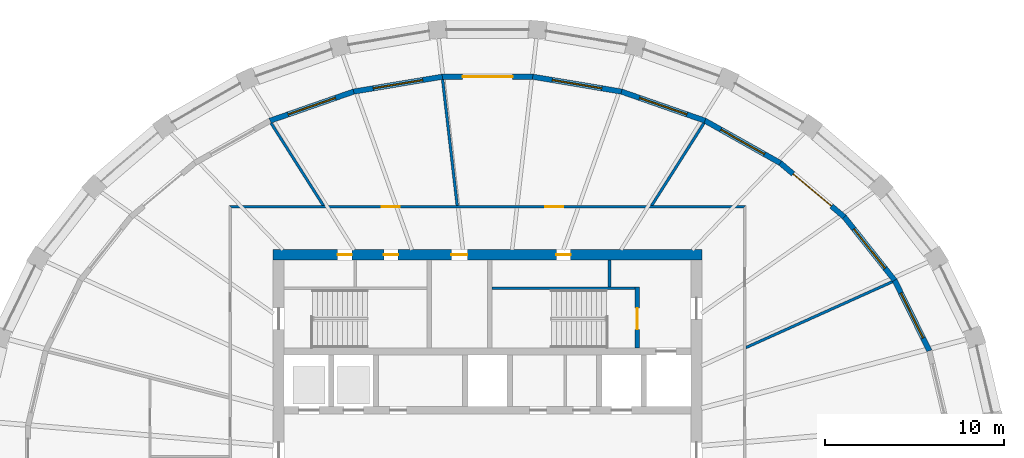
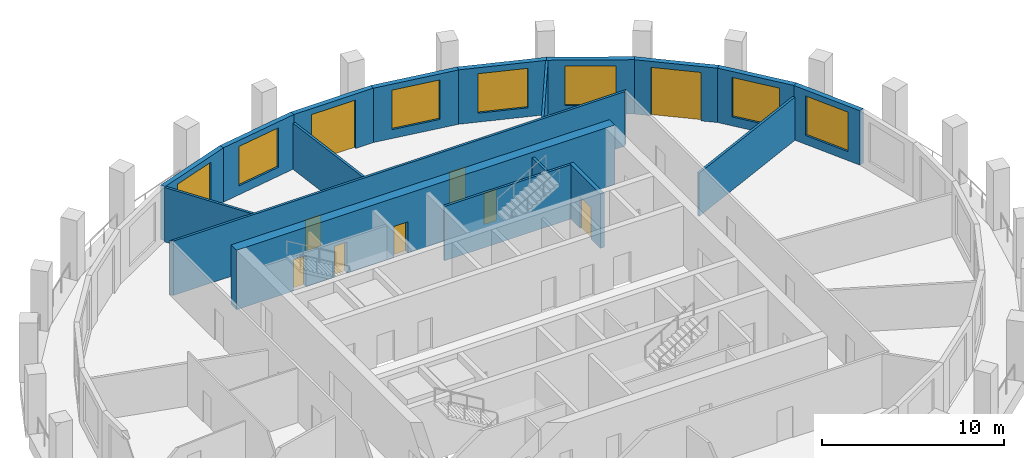
# One storey, part 6 of 10: 18 walls, 9 doors, 7 windows, 16 openings.
"""IFC4 building model written with IfcOpenShell, lengths in metres."""

from ifc_helpers import new_model, si_unit, direction, frame, frame_2d, origin, place, context, subcontext, project, spatial, polyline, rectangle, outline, extrude, material, layer, layer_set, type_object, element, fill, save


model = new_model("IFC4")

# Units and contexts
model_context = context("Model", 3, precision=1e-05, world=origin(), true_north=direction((0.0, 1.0)))
body_context = subcontext(model_context, "Body", "Model", "MODEL_VIEW")
ifc_project = project(units=[si_unit("LENGTHUNIT", "METRE"), si_unit("AREAUNIT", "SQUARE_METRE"), si_unit("VOLUMEUNIT", "CUBIC_METRE"), si_unit("PLANEANGLEUNIT", "RADIAN"), si_unit("MASSUNIT", "GRAM", prefix="KILO")], contexts=[model_context])

# Site, building, storey
site_placement = place(None, origin())
site = spatial("IfcSite", under=ifc_project, at=site_placement, CompositionType="ELEMENT")
building_placement = place(site_placement, origin())
building = spatial("IfcBuilding", under=site, at=building_placement, Name="Halqa Exchange Tower", CompositionType="ELEMENT")
storey_placement = place(building_placement, frame((0.0, 0.0, 324.300048828125)))
storey = spatial("IfcBuildingStorey", under=building, at=storey_placement, Name="L76", CompositionType="ELEMENT", Elevation=324.300048828125)

# Wall, openings, doors
ifc_material_1 = material(Name="Fire-rated gypsum board")
ifc_layer_1 = layer(ifc_material_1, 0.14990234375)
ifc_layer_set_1 = layer_set([ifc_layer_1], Name="Fire-rated gypsum board")
wall_type_1 = type_object("IfcWallType", Name="Fire partition EI 60 150", PredefinedType="PARTITIONING", material=ifc_layer_set_1)
wall_1_placement = place(storey_placement, frame((-14.47509765625, 14.39990234375, 0.0), z_axis=(0.0, 0.0, 1.0), x_axis=(1.0, 0.0, 0.0)))
wall_1 = element("IfcWall", 1, at=wall_1_placement, inside=storey, type_object=wall_type_1, Name="L76-PWL-008", PredefinedType="PARTITIONING", context=body_context, shape_type="SweptSolid", body=[
    extrude(outline(polyline([(0.150146484375, -0.074951171875), (2.06005859375, -0.074951171875), (3.97021484375, -0.074951171875), (5.880126953125, -0.074951171875), (7.7900390625, -0.074951171875), (9.7001953125, -0.074951171875), (11.610107421875, -0.074951171875), (13.52001953125, -0.074951171875), (15.43017578125, -0.074951171875), (17.340087890625, -0.074951171875), (19.25, -0.074951171875), (21.16015625, -0.074951171875), (23.070068359375, -0.074951171875), (24.97998046875, -0.074951171875), (26.89013671875, -0.074951171875), (28.800048828125, -0.074951171875), (28.949951171875, 0.074951171875), (27.02001953125, 0.074951171875), (25.090087890625, 0.074951171875), (23.159912109375, 0.074951171875), (21.22998046875, 0.074951171875), (19.300048828125, 0.074951171875), (17.3701171875, 0.074951171875), (15.440185546875, 0.074951171875), (13.510009765625, 0.074951171875), (11.580078125, 0.074951171875), (9.650146484375, 0.074951171875), (7.72021484375, 0.074951171875), (5.790283203125, 0.074951171875), (3.860107421875, 0.074951171875), (1.93017578125, 0.074951171875), (0.000244140625, 0.074951171875), (0.150146484375, -0.074951171875)])), origin(), (0.0, 0.0, 1.0), 3.64990234375),
])
opening_1_placement = place(wall_1_placement, frame((17.705078125, 0.0, 0.0)))
opening_1 = element("IfcOpeningElement", 2, at=opening_1_placement, cuts=wall_1, Name="Opening 23-02", PredefinedType="OPENING", context=body_context, shape_type="SweptSolid", body=[
    extrude(rectangle(XDim=1.0, YDim=2.10009765625, at=frame_2d((0.5, 1.050048828125))), frame((0.0, 0.0869140625, 0.0), z_axis=(0.0, -1.0, 0.0), x_axis=(1.0, 0.0, 0.0)), (0.0, 0.0, 1.0), 0.173828125),
])
opening_2_placement = place(wall_1_placement, frame((8.554931640625, 0.0, 0.0)))
opening_2 = element("IfcOpeningElement", 3, at=opening_2_placement, cuts=wall_1, Name="Opening 23-03", PredefinedType="OPENING", context=body_context, shape_type="SweptSolid", body=[
    extrude(rectangle(XDim=1.0, YDim=2.10009765625, at=frame_2d((0.5, 1.050048828125))), frame((0.0, 0.0869140625, 0.0), z_axis=(0.0, -1.0, 0.0), x_axis=(1.0, 0.0, 0.0)), (0.0, 0.0, 1.0), 0.173828125),
])
ifc_material_2 = material(Name="Steel fire door leaf", Category="steel")
door_type_1 = type_object("IfcDoorType", Name="Fire door FD30S 1000 x 2100", OperationType="SINGLE_SWING_LEFT", PredefinedType="DOOR", material=ifc_material_2)
door_1_placement = place(opening_1_placement, origin())
door_1 = element("IfcDoor", 4, at=door_1_placement, inside=storey, type_object=door_type_1, Name="L76-IDR-002", OperationType="SINGLE_SWING_RIGHT", OverallHeight=2.10009765625, OverallWidth=1.0, PredefinedType="DOOR", context=body_context, shape_type="SweptSolid", body=[
    extrude(rectangle(XDim=1.0, YDim=2.10009765625, at=frame_2d((0.5, 1.050048828125))), frame((0.0, 0.02490234375, 0.0), z_axis=(0.0, -1.0, 0.0), x_axis=(1.0, 0.0, 0.0)), (0.0, 0.0, 1.0), 0.050048828125),
])
fill(opening_1, door_1)
door_2_placement = place(opening_2_placement, origin())
door_2 = element("IfcDoor", 5, at=door_2_placement, inside=storey, type_object=door_type_1, Name="L76-IDR-003", OperationType="SINGLE_SWING_RIGHT", OverallHeight=2.10009765625, OverallWidth=1.0, PredefinedType="DOOR", context=body_context, shape_type="SweptSolid", body=[
    extrude(rectangle(XDim=1.0, YDim=2.10009765625, at=frame_2d((0.5, 1.050048828125))), frame((0.0, 0.02490234375, 0.0), z_axis=(0.0, -1.0, 0.0), x_axis=(1.0, 0.0, 0.0)), (0.0, 0.0, 1.0), 0.050048828125),
])
fill(opening_2, door_2)

# Walls
wall_2_placement = place(storey_placement, frame((-9.172119140625, 14.43505859375, 0.0), z_axis=(0.0, 0.0, 1.0), x_axis=(-0.536016173419, 0.844207712493, 0.0)))
element("IfcWall", 6, at=wall_2_placement, inside=storey, type_object=wall_type_1, Name="L76-PWL-010", PredefinedType="PARTITIONING", context=body_context, shape_type="SweptSolid", body=[
    extrude(outline(polyline([(0.0, -0.074951171875), (1.82568359375, -0.074951171875), (3.6513671875, -0.074951171875), (5.477294921875, -0.074951171875), (5.494140625, -0.002685546875), (5.498291015625, 0.074951171875), (3.697265625, 0.074951171875), (1.89599609375, 0.074951171875), (0.094970703125, 0.074951171875), (0.0, -0.074462890625), (0.0, -0.074951171875)])), origin(), (0.0, 0.0, 1.0), 3.64990234375),
])
wall_3_placement = place(storey_placement, frame((-1.69775390625, 14.466552734375, 0.0), z_axis=(0.0, 0.0, 1.0), x_axis=(-0.115131681879, 0.993350238248, 0.0)))
element("IfcWall", 7, at=wall_3_placement, inside=storey, type_object=wall_type_1, Name="L76-PWL-011", PredefinedType="PARTITIONING", context=body_context, shape_type="SweptSolid", body=[
    extrude(outline(polyline([(0.0, -0.074951171875), (1.774169921875, -0.074951171875), (3.54833984375, -0.074951171875), (5.322265625, -0.074951171875), (7.096435546875, -0.074951171875), (7.1015625, -0.03125), (7.1015625, 0.074951171875), (5.33056640625, 0.074951171875), (3.559326171875, 0.074951171875), (1.788330078125, 0.074951171875), (0.01708984375, 0.074951171875), (0.0, -0.073486328125), (0.0, -0.074951171875)])), origin(), (0.0, 0.0, 1.0), 3.099853515625),
])
wall_4_placement = place(storey_placement, frame((9.172119140625, 14.43505859375, 0.0), z_axis=(0.0, 0.0, 1.0), x_axis=(0.536016173419, 0.844207712493, 0.0)))
element("IfcWall", 8, at=wall_4_placement, inside=storey, type_object=wall_type_1, Name="L76-PWL-013", PredefinedType="PARTITIONING", context=body_context, shape_type="SweptSolid", body=[
    extrude(outline(polyline([(0.094970703125, -0.074951171875), (1.89599609375, -0.074951171875), (3.697265625, -0.074951171875), (5.498291015625, -0.074951171875), (5.494140625, 0.002685546875), (5.477294921875, 0.074951171875), (3.6513671875, 0.074951171875), (1.82568359375, 0.074951171875), (0.0, 0.074951171875), (0.0, 0.074462890625), (0.094970703125, -0.074951171875)])), origin(), (0.0, 0.0, 1.0), 3.64990234375),
])
wall_5_placement = place(storey_placement, frame((22.667236328125, 10.197265625, 0.0), z_axis=(0.0, 0.0, 1.0), x_axis=(-0.912043070278, -0.410094425662, 0.0)))
element("IfcWall", 9, at=wall_5_placement, inside=storey, type_object=wall_type_1, Name="L76-PWL-018", PredefinedType="PARTITIONING", context=body_context, shape_type="SweptSolid", body=[
    extrude(outline(polyline([(0.021484375, -0.074951171875), (1.806884765625, -0.074951171875), (3.59228515625, -0.074951171875), (5.377685546875, -0.074951171875), (7.1630859375, -0.074951171875), (8.948486328125, -0.074951171875), (9.015625, 0.07421875), (9.015625, 0.074951171875), (7.21240234375, 0.074951171875), (5.409423828125, 0.074951171875), (3.606201171875, 0.074951171875), (1.80322265625, 0.074951171875), (0.0, 0.074951171875), (0.0, 0.066162109375), (0.002197265625, 0.000732421875), (0.021484375, -0.074951171875)])), origin(), (0.0, 0.0, 1.0), 2.89697265625),
])
ifc_material_3 = material(Name="Gypsum board")
ifc_layer_2 = layer(ifc_material_3, 0.14990234375)
ifc_layer_set_2 = layer_set([ifc_layer_2], Name="Gypsum board")
wall_type_2 = type_object("IfcWallType", Name="Penthouse riser wall 150 gypsum", PredefinedType="PARTITIONING", material=ifc_layer_set_2)
wall_6_placement = place(storey_placement, frame((6.824951171875, 9.89990234375, 0.0), z_axis=(0.0, 0.0, 1.0), x_axis=(0.0, 1.0, 0.0)))
element("IfcWall", 10, at=wall_6_placement, inside=storey, type_object=wall_type_2, Name="Firefighting lobby west wall N", PredefinedType="PARTITIONING", context=body_context, shape_type="SweptSolid", body=[
    extrude(rectangle(XDim=1.5, YDim=0.14990234375, at=frame_2d((0.75, 0.0))), origin(), (0.0, 0.0, 1.0), 3.64990234375),
])

# Wall, openings, doors
ifc_material_4 = material(Name="Concrete C60/75", Category="concrete")
ifc_layer_3 = layer(ifc_material_4, 0.60009765625)
ifc_layer_set_3 = layer_set([ifc_layer_3], Name="Concrete C60/75")
wall_type_3 = type_object("IfcWallType", Name="RC core wall 600 C60/75", PredefinedType="SHEAR", material=ifc_layer_set_3)
wall_7_placement = place(storey_placement, frame((-12.0, 11.699951171875, 0.0), z_axis=(0.0, 0.0, 1.0), x_axis=(1.0, 0.0, 0.0)))
wall_7 = element("IfcWall", 11, at=wall_7_placement, inside=storey, type_object=wall_type_3, Name="Core wall north", PredefinedType="SHEAR", context=body_context, shape_type="SweptSolid", body=[
    extrude(rectangle(XDim=24.0, YDim=0.60009765625, at=frame_2d((12.0, 0.0))), origin(), (0.0, 0.0, 1.0), 4.0),
])
opening_3_placement = place(wall_7_placement, frame((9.97509765625, 0.0, 0.0)))
opening_3 = element("IfcOpeningElement", 12, at=opening_3_placement, cuts=wall_7, Name="Opening T23-C17", PredefinedType="OPENING", context=body_context, shape_type="SweptSolid", body=[
    extrude(rectangle(XDim=0.89990234375, YDim=2.10009765625, at=frame_2d((0.449951171875, 1.050048828125))), frame((0.0, 0.31201171875, 0.0), z_axis=(0.0, -1.0, 0.0), x_axis=(1.0, 0.0, 0.0)), (0.0, 0.0, 1.0), 0.6240234375),
])
opening_4_placement = place(wall_7_placement, frame((3.60009765625, 0.0, 0.0)))
opening_4 = element("IfcOpeningElement", 13, at=opening_4_placement, cuts=wall_7, Name="Opening T23-C18", PredefinedType="OPENING", context=body_context, shape_type="SweptSolid", body=[
    extrude(rectangle(XDim=0.800048828125, YDim=2.10009765625, at=frame_2d((0.39990234375, 1.050048828125))), frame((0.0, 0.31201171875, 0.0), z_axis=(0.0, -1.0, 0.0), x_axis=(1.0, 0.0, 0.0)), (0.0, 0.0, 1.0), 0.6240234375),
])
opening_5_placement = place(wall_7_placement, frame((6.199951171875, 0.0, 0.0)))
opening_5 = element("IfcOpeningElement", 14, at=opening_5_placement, cuts=wall_7, Name="Opening T23-C19", PredefinedType="OPENING", context=body_context, shape_type="SweptSolid", body=[
    extrude(rectangle(XDim=0.800048828125, YDim=2.10009765625, at=frame_2d((0.39990234375, 1.050048828125))), frame((0.0, 0.31201171875, 0.0), z_axis=(0.0, -1.0, 0.0), x_axis=(1.0, 0.0, 0.0)), (0.0, 0.0, 1.0), 0.6240234375),
])
opening_6_placement = place(wall_7_placement, frame((15.85009765625, 0.0, 0.0)))
opening_6 = element("IfcOpeningElement", 15, at=opening_6_placement, cuts=wall_7, Name="Opening T23-C20", PredefinedType="OPENING", context=body_context, shape_type="SweptSolid", body=[
    extrude(rectangle(XDim=0.800048828125, YDim=2.10009765625, at=frame_2d((0.39990234375, 1.050048828125))), frame((0.0, 0.31201171875, 0.0), z_axis=(0.0, -1.0, 0.0), x_axis=(1.0, 0.0, 0.0)), (0.0, 0.0, 1.0), 0.6240234375),
])
ifc_material_5 = material(Name="Timber fire door leaf", Category="wood")
door_type_2 = type_object("IfcDoorType", Name="Core room door FD30 900 x 2100", OperationType="SINGLE_SWING_LEFT", PredefinedType="DOOR", material=ifc_material_5)
door_3_placement = place(opening_3_placement, frame((0.89990234375, 0.0, 0.0), z_axis=(0.0, 0.0, 1.0), x_axis=(-1.0, 0.0, 0.0)))
door_3 = element("IfcDoor", 16, at=door_3_placement, inside=storey, type_object=door_type_2, Name="Core room door", OperationType="SINGLE_SWING_RIGHT", OverallHeight=2.10009765625, OverallWidth=0.89990234375, PredefinedType="DOOR", context=body_context, shape_type="SweptSolid", body=[
    extrude(rectangle(XDim=0.89990234375, YDim=2.10009765625, at=frame_2d((0.449951171875, 1.050048828125))), frame((0.0, 0.02490234375, 0.0), z_axis=(0.0, -1.0, 0.0), x_axis=(1.0, 0.0, 0.0)), (0.0, 0.0, 1.0), 0.050048828125),
])
fill(opening_3, door_3)
door_type_3 = type_object("IfcDoorType", Name="Riser door FD60 800 x 2100", OperationType="SINGLE_SWING_LEFT", PredefinedType="DOOR", material=ifc_material_2)
door_4_placement = place(opening_4_placement, frame((0.800048828125, 0.0, 0.0), z_axis=(0.0, 0.0, 1.0), x_axis=(-1.0, 0.0, 0.0)))
door_4 = element("IfcDoor", 17, at=door_4_placement, inside=storey, type_object=door_type_3, Name="Core room door", OperationType="SINGLE_SWING_RIGHT", OverallHeight=2.10009765625, OverallWidth=0.800048828125, PredefinedType="DOOR", context=body_context, shape_type="SweptSolid", body=[
    extrude(rectangle(XDim=0.800048828125, YDim=2.10009765625, at=frame_2d((0.39990234375, 1.050048828125))), frame((0.0, 0.02490234375, 0.0), z_axis=(0.0, -1.0, 0.0), x_axis=(1.0, 0.0, 0.0)), (0.0, 0.0, 1.0), 0.050048828125),
])
fill(opening_4, door_4)
door_5_placement = place(opening_5_placement, frame((0.800048828125, 0.0, 0.0), z_axis=(0.0, 0.0, 1.0), x_axis=(-1.0, 0.0, 0.0)))
door_5 = element("IfcDoor", 18, at=door_5_placement, inside=storey, type_object=door_type_3, Name="Core room door", OperationType="SINGLE_SWING_LEFT", OverallHeight=2.10009765625, OverallWidth=0.800048828125, PredefinedType="DOOR", context=body_context, shape_type="SweptSolid", body=[
    extrude(rectangle(XDim=0.800048828125, YDim=2.10009765625, at=frame_2d((0.39990234375, 1.050048828125))), frame((0.0, 0.02490234375, 0.0), z_axis=(0.0, -1.0, 0.0), x_axis=(1.0, 0.0, 0.0)), (0.0, 0.0, 1.0), 0.050048828125),
])
fill(opening_5, door_5)
door_6_placement = place(opening_6_placement, frame((0.800048828125, 0.0, 0.0), z_axis=(0.0, 0.0, 1.0), x_axis=(-1.0, 0.0, 0.0)))
door_6 = element("IfcDoor", 19, at=door_6_placement, inside=storey, type_object=door_type_3, Name="Core room door", OperationType="SINGLE_SWING_RIGHT", OverallHeight=2.10009765625, OverallWidth=0.800048828125, PredefinedType="DOOR", context=body_context, shape_type="SweptSolid", body=[
    extrude(rectangle(XDim=0.800048828125, YDim=2.10009765625, at=frame_2d((0.39990234375, 1.050048828125))), frame((0.0, 0.02490234375, 0.0), z_axis=(0.0, -1.0, 0.0), x_axis=(1.0, 0.0, 0.0)), (0.0, 0.0, 1.0), 0.050048828125),
])
fill(opening_6, door_6)

# Wall
ifc_material_6 = material(Name="Concrete C30/37", Category="concrete")
ifc_layer_4 = layer(ifc_material_6, 0.14990234375)
ifc_layer_set_4 = layer_set([ifc_layer_4], Name="Concrete C30/37")
wall_type_4 = type_object("IfcWallType", Name="RC stair wall 150 C30/37", PredefinedType="SHEAR", material=ifc_layer_set_4)
wall_8_placement = place(storey_placement, frame((0.25, 9.824951171875, 0.0), z_axis=(0.0, 0.0, 1.0), x_axis=(1.0, 0.0, 0.0)))
element("IfcWall", 20, at=wall_8_placement, inside=storey, type_object=wall_type_4, Name="Stair ST2 north wall N", PredefinedType="SHEAR", context=body_context, shape_type="SweptSolid", body=[
    extrude(rectangle(XDim=8.0, YDim=0.14990234375, at=frame_2d((4.0, 0.0))), origin(), (0.0, 0.0, 1.0), 3.64990234375),
])

# Wall, opening, door
ifc_layer_5 = layer(ifc_material_6, 0.25)
ifc_layer_set_5 = layer_set([ifc_layer_5], Name="Concrete C30/37")
wall_type_5 = type_object("IfcWallType", Name="RC stair wall 250 C30/37", PredefinedType="SHEAR", material=ifc_layer_set_5)
wall_9_placement = place(storey_placement, frame((8.375, 6.5, 0.0), z_axis=(0.0, 0.0, 1.0), x_axis=(0.0, 1.0, 0.0)))
wall_9 = element("IfcWall", 21, at=wall_9_placement, inside=storey, type_object=wall_type_5, Name="Stair ST2 east wall N", PredefinedType="SHEAR", context=body_context, shape_type="SweptSolid", body=[
    extrude(rectangle(XDim=3.39990234375, YDim=0.25, at=frame_2d((1.699951171875, 0.0))), origin(), (0.0, 0.0, 1.0), 3.64990234375),
])
opening_7_placement = place(wall_9_placement, frame((1.02490234375, 0.0, 0.0)))
opening_7 = element("IfcOpeningElement", 22, at=opening_7_placement, cuts=wall_9, Name="Opening T23-C12", PredefinedType="OPENING", context=body_context, shape_type="SweptSolid", body=[
    extrude(rectangle(XDim=1.199951171875, YDim=2.10009765625, at=frame_2d((0.60009765625, 1.050048828125))), frame((0.0, 0.136962890625, 0.0), z_axis=(0.0, -1.0, 0.0), x_axis=(1.0, 0.0, 0.0)), (0.0, 0.0, 1.0), 0.27392578125),
])
door_type_4 = type_object("IfcDoorType", Name="Stair door FD90 1200 x 2100", OperationType="SINGLE_SWING_LEFT", PredefinedType="DOOR", material=ifc_material_2)
door_7_placement = place(opening_7_placement, origin())
door_7 = element("IfcDoor", 23, at=door_7_placement, inside=storey, type_object=door_type_4, Name="Stair door ST2", OperationType="SINGLE_SWING_RIGHT", OverallHeight=2.10009765625, OverallWidth=1.199951171875, PredefinedType="DOOR", context=body_context, shape_type="SweptSolid", body=[
    extrude(rectangle(XDim=1.199951171875, YDim=2.10009765625, at=frame_2d((0.60009765625, 1.050048828125))), frame((0.0, 0.02490234375, 0.0), z_axis=(0.0, -1.0, 0.0), x_axis=(1.0, 0.0, 0.0)), (0.0, 0.0, 1.0), 0.050048828125),
])
fill(opening_7, door_7)

# Wall, opening, window
ifc_material_7 = material(Name="Limestone cladding", Category="masonry")
ifc_layer_6 = layer(ifc_material_7, 0.0400390625)
ifc_material_8 = material(Name="Ventilated cavity")
ifc_layer_7 = layer(ifc_material_8, 0.030029296875, ventilated=True)
ifc_material_9 = material(Name="Mineral wool insulation")
ifc_layer_8 = layer(ifc_material_9, 0.10009765625)
ifc_layer_9 = layer(ifc_material_6, 0.10009765625)
ifc_material_10 = material(Name="Internal plaster")
ifc_layer_10 = layer(ifc_material_10, 0.030029296875)
ifc_layer_set_6 = layer_set([ifc_layer_6, ifc_layer_7, ifc_layer_8, ifc_layer_9, ifc_layer_10], Name="Stone-faced insulated wall 300")
wall_type_6 = type_object("IfcWallType", Name="Stone-faced insulated wall 300", PredefinedType="STANDARD", material=ifc_layer_set_6)
wall_10_placement = place(storey_placement, frame((24.735595703125, 6.32958984375, 0.0), z_axis=(0.0, 0.0, 1.0), x_axis=(-0.441610485853, 0.897206876247, 0.0)))
wall_10 = element("IfcWall", 24, at=wall_10_placement, inside=storey, type_object=wall_type_6, Name="Glass-line wall 2", PredefinedType="STANDARD", context=body_context, shape_type="SweptSolid", body=[
    extrude(outline(polyline([(-0.01708984375, -0.14990234375), (4.4150390625, -0.14990234375), (4.3828125, 0.14990234375), (0.01708984375, 0.14990234375), (-0.01708984375, -0.14990234375)])), origin(), (0.0, 0.0, 1.0), 3.64990234375),
])
opening_8_placement = place(wall_10_placement, frame((0.799560546875, 0.0, 0.60009765625)))
opening_8 = element("IfcOpeningElement", 25, at=opening_8_placement, cuts=wall_10, Name="Opening W-F4-02", PredefinedType="OPENING", context=body_context, shape_type="SweptSolid", body=[
    extrude(rectangle(XDim=2.800048828125, YDim=2.64990234375, at=frame_2d((1.39990234375, 1.324951171875))), frame((0.0, 0.162109375, 0.0), z_axis=(0.0, -1.0, 0.0), x_axis=(1.0, 0.0, 0.0)), (0.0, 0.0, 1.0), 0.323974609375),
])
ifc_material_11 = material(Name="Clear low-emissivity glass in aluminium frame", Category="aluminium")
window_type = type_object("IfcWindowType", Name="Fixed clear glazed window 2800 x 2650", PartitioningType="DOUBLE_PANEL_VERTICAL", PredefinedType="WINDOW", material=ifc_material_11)
window_1_placement = place(opening_8_placement, origin())
window_1 = element("IfcWindow", 26, at=window_1_placement, inside=storey, type_object=window_type, Name="Window 4", OverallHeight=2.64990234375, OverallWidth=2.800048828125, PartitioningType="DOUBLE_PANEL_VERTICAL", PredefinedType="WINDOW", context=body_context, shape_type="SweptSolid", body=[
    extrude(rectangle(XDim=2.800048828125, YDim=2.64990234375, at=frame_2d((1.39990234375, 1.324951171875))), frame((0.0, 0.030029296875, 0.0), z_axis=(0.0, -1.0, 0.0), x_axis=(1.0, 0.0, 0.0)), (0.0, 0.0, 1.0), 0.06005859375),
])
fill(opening_8, window_1)

wall_11_placement = place(storey_placement, frame((22.79296875, 10.2763671875, 0.0), z_axis=(0.0, 0.0, 1.0), x_axis=(-0.621800530555, 0.783175650925, 0.0)))
wall_11 = element("IfcWall", 27, at=wall_11_placement, inside=storey, type_object=wall_type_6, Name="Glass-line wall 3", PredefinedType="STANDARD", context=body_context, shape_type="SweptSolid", body=[
    extrude(outline(polyline([(-0.01611328125, -0.14990234375), (4.547607421875, -0.14990234375), (4.517333984375, 0.14990234375), (0.01611328125, 0.14990234375), (-0.01611328125, -0.14990234375)])), origin(), (0.0, 0.0, 1.0), 3.64990234375),
])
opening_9_placement = place(wall_11_placement, frame((0.8662109375, 0.0, 0.60009765625)))
opening_9 = element("IfcOpeningElement", 28, at=opening_9_placement, cuts=wall_11, Name="Opening W-F4-03", PredefinedType="OPENING", context=body_context, shape_type="SweptSolid", body=[
    extrude(rectangle(XDim=2.800048828125, YDim=2.64990234375, at=frame_2d((1.39990234375, 1.324951171875))), frame((0.0, 0.162109375, 0.0), z_axis=(0.0, -1.0, 0.0), x_axis=(1.0, 0.0, 0.0)), (0.0, 0.0, 1.0), 0.323974609375),
])
window_2_placement = place(opening_9_placement, origin())
window_2 = element("IfcWindow", 29, at=window_2_placement, inside=storey, type_object=window_type, Name="Window 4", OverallHeight=2.64990234375, OverallWidth=2.800048828125, PartitioningType="DOUBLE_PANEL_VERTICAL", PredefinedType="WINDOW", context=body_context, shape_type="SweptSolid", body=[
    extrude(rectangle(XDim=2.800048828125, YDim=2.64990234375, at=frame_2d((1.39990234375, 1.324951171875))), frame((0.0, 0.030029296875, 0.0), z_axis=(0.0, -1.0, 0.0), x_axis=(1.0, 0.0, 0.0)), (0.0, 0.0, 1.0), 0.06005859375),
])
fill(opening_9, window_2)

# Wall, opening, door
wall_12_placement = place(storey_placement, frame((19.974609375, 13.826171875, 0.0), z_axis=(0.0, 0.0, 1.0), x_axis=(-0.765128700347, 0.643877373344, 0.0)))
wall_12 = element("IfcWall", 30, at=wall_12_placement, inside=storey, type_object=wall_type_6, Name="Glass-line wall 4", PredefinedType="STANDARD", context=body_context, shape_type="SweptSolid", body=[
    extrude(outline(polyline([(-0.01513671875, -0.14990234375), (4.69970703125, -0.14990234375), (4.67138671875, 0.14990234375), (0.01513671875, 0.14990234375), (-0.01513671875, -0.14990234375)])), origin(), (0.0, 0.0, 1.0), 3.64990234375),
])
opening_10_placement = place(wall_12_placement, frame((0.942626953125, 0.0, 0.0)))
opening_10 = element("IfcOpeningElement", 31, at=opening_10_placement, cuts=wall_12, Name="Opening LG-F4-01", PredefinedType="OPENING", context=body_context, shape_type="SweptSolid", body=[
    extrude(rectangle(XDim=2.800048828125, YDim=3.25, at=frame_2d((1.39990234375, 1.625))), frame((0.0, 0.162109375, 0.0), z_axis=(0.0, -1.0, 0.0), x_axis=(1.0, 0.0, 0.0)), (0.0, 0.0, 1.0), 0.323974609375),
])
door_type_5 = type_object("IfcDoorType", Name="Glazed sliding loggia door 2800 x 3250", OperationType="DOUBLE_DOOR_SLIDING", PredefinedType="DOOR", material=ifc_material_11)
door_8_placement = place(opening_10_placement, origin())
door_8 = element("IfcDoor", 32, at=door_8_placement, inside=storey, type_object=door_type_5, Name="Loggia door 1", OperationType="DOUBLE_DOOR_SLIDING", OverallHeight=3.25, OverallWidth=2.800048828125, PredefinedType="DOOR", context=body_context, shape_type="SweptSolid", body=[
    extrude(rectangle(XDim=2.800048828125, YDim=3.25, at=frame_2d((1.39990234375, 1.625))), frame((0.0, 0.02490234375, 0.0), z_axis=(0.0, -1.0, 0.0), x_axis=(1.0, 0.0, 0.0)), (0.0, 0.0, 1.0), 0.050048828125),
])
fill(opening_10, door_8)

# Wall, opening, window
wall_13_placement = place(storey_placement, frame((16.3896484375, 16.843017578125, 0.0), z_axis=(0.0, 0.0, 1.0), x_axis=(-0.871651071333, 0.49012693238, 0.0)))
wall_13 = element("IfcWall", 33, at=wall_13_placement, inside=storey, type_object=wall_type_6, Name="Glass-line wall 5", PredefinedType="STANDARD", context=body_context, shape_type="SweptSolid", body=[
    extrude(outline(polyline([(-0.01416015625, -0.14990234375), (4.846435546875, -0.14990234375), (4.820068359375, 0.14990234375), (0.01416015625, 0.14990234375), (-0.01416015625, -0.14990234375)])), origin(), (0.0, 0.0, 1.0), 3.64990234375),
])
opening_11_placement = place(wall_13_placement, frame((1.0166015625, 0.0, 0.60009765625)))
opening_11 = element("IfcOpeningElement", 34, at=opening_11_placement, cuts=wall_13, Name="Opening W-F4-05", PredefinedType="OPENING", context=body_context, shape_type="SweptSolid", body=[
    extrude(rectangle(XDim=2.800048828125, YDim=2.64990234375, at=frame_2d((1.39990234375, 1.324951171875))), frame((0.0, 0.162109375, 0.0), z_axis=(0.0, -1.0, 0.0), x_axis=(1.0, 0.0, 0.0)), (0.0, 0.0, 1.0), 0.323974609375),
])
window_3_placement = place(opening_11_placement, origin())
window_3 = element("IfcWindow", 35, at=window_3_placement, inside=storey, type_object=window_type, Name="Window 4", OverallHeight=2.64990234375, OverallWidth=2.800048828125, PartitioningType="DOUBLE_PANEL_VERTICAL", PredefinedType="WINDOW", context=body_context, shape_type="SweptSolid", body=[
    extrude(rectangle(XDim=2.800048828125, YDim=2.64990234375, at=frame_2d((1.39990234375, 1.324951171875))), frame((0.0, 0.030029296875, 0.0), z_axis=(0.0, -1.0, 0.0), x_axis=(1.0, 0.0, 0.0)), (0.0, 0.0, 1.0), 0.06005859375),
])
fill(opening_11, window_3)

wall_14_placement = place(storey_placement, frame((12.1767578125, 19.2119140625, 0.0), z_axis=(0.0, 0.0, 1.0), x_axis=(-0.944273917508, 0.329160703479, 0.0)))
wall_14 = element("IfcWall", 36, at=wall_14_placement, inside=storey, type_object=wall_type_6, Name="Glass-line wall 6", PredefinedType="STANDARD", context=body_context, shape_type="SweptSolid", body=[
    extrude(outline(polyline([(-0.01318359375, -0.14990234375), (4.968017578125, -0.14990234375), (4.942626953125, 0.14990234375), (0.01318359375, 0.14990234375), (-0.01318359375, -0.14990234375)])), origin(), (0.0, 0.0, 1.0), 3.64990234375),
])
opening_12_placement = place(wall_14_placement, frame((1.07763671875, 0.0, 0.60009765625)))
opening_12 = element("IfcOpeningElement", 37, at=opening_12_placement, cuts=wall_14, Name="Opening W-F4-06", PredefinedType="OPENING", context=body_context, shape_type="SweptSolid", body=[
    extrude(rectangle(XDim=2.800048828125, YDim=2.64990234375, at=frame_2d((1.39990234375, 1.324951171875))), frame((0.0, 0.162109375, 0.0), z_axis=(0.0, -1.0, 0.0), x_axis=(1.0, 0.0, 0.0)), (0.0, 0.0, 1.0), 0.323974609375),
])
window_4_placement = place(opening_12_placement, origin())
window_4 = element("IfcWindow", 38, at=window_4_placement, inside=storey, type_object=window_type, Name="Window 4", OverallHeight=2.64990234375, OverallWidth=2.800048828125, PartitioningType="DOUBLE_PANEL_VERTICAL", PredefinedType="WINDOW", context=body_context, shape_type="SweptSolid", body=[
    extrude(rectangle(XDim=2.800048828125, YDim=2.64990234375, at=frame_2d((1.39990234375, 1.324951171875))), frame((0.0, 0.030029296875, 0.0), z_axis=(0.0, -1.0, 0.0), x_axis=(1.0, 0.0, 0.0)), (0.0, 0.0, 1.0), 0.06005859375),
])
fill(opening_12, window_4)

wall_15_placement = place(storey_placement, frame((7.49755859375, 20.843017578125, 0.0), z_axis=(0.0, 0.0, 1.0), x_axis=(-0.986269147983, 0.165145898335, 0.0)))
wall_15 = element("IfcWall", 39, at=wall_15_placement, inside=storey, type_object=wall_type_6, Name="Glass-line wall 7", PredefinedType="STANDARD", context=body_context, shape_type="SweptSolid", body=[
    extrude(outline(polyline([(-0.0126953125, -0.14990234375), (5.047607421875, -0.14990234375), (5.022705078125, 0.14990234375), (0.0126953125, 0.14990234375), (-0.0126953125, -0.14990234375)])), origin(), (0.0, 0.0, 1.0), 3.64990234375),
])
opening_13_placement = place(wall_15_placement, frame((1.11767578125, 0.0, 0.60009765625)))
opening_13 = element("IfcOpeningElement", 40, at=opening_13_placement, cuts=wall_15, Name="Opening W-F4-07", PredefinedType="OPENING", context=body_context, shape_type="SweptSolid", body=[
    extrude(rectangle(XDim=2.800048828125, YDim=2.64990234375, at=frame_2d((1.39990234375, 1.324951171875))), frame((0.0, 0.162109375, 0.0), z_axis=(0.0, -1.0, 0.0), x_axis=(1.0, 0.0, 0.0)), (0.0, 0.0, 1.0), 0.323974609375),
])
window_5_placement = place(opening_13_placement, origin())
window_5 = element("IfcWindow", 41, at=window_5_placement, inside=storey, type_object=window_type, Name="Window 4", OverallHeight=2.64990234375, OverallWidth=2.800048828125, PartitioningType="DOUBLE_PANEL_VERTICAL", PredefinedType="WINDOW", context=body_context, shape_type="SweptSolid", body=[
    extrude(rectangle(XDim=2.800048828125, YDim=2.64990234375, at=frame_2d((1.39990234375, 1.324951171875))), frame((0.0, 0.030029296875, 0.0), z_axis=(0.0, -1.0, 0.0), x_axis=(1.0, 0.0, 0.0)), (0.0, 0.0, 1.0), 0.06005859375),
])
fill(opening_13, window_5)

# Wall, opening, door
wall_16_placement = place(storey_placement, frame((2.531494140625, 21.674560546875, 0.0), z_axis=(0.0, 0.0, 1.0), x_axis=(-1.0, 0.0, 0.0)))
wall_16 = element("IfcWall", 42, at=wall_16_placement, inside=storey, type_object=wall_type_6, Name="Glass-line wall 8", PredefinedType="STANDARD", context=body_context, shape_type="SweptSolid", body=[
    extrude(outline(polyline([(-0.012451171875, -0.14990234375), (5.075439453125, -0.14990234375), (5.050537109375, 0.14990234375), (0.012451171875, 0.14990234375), (-0.012451171875, -0.14990234375)])), origin(), (0.0, 0.0, 1.0), 3.64990234375),
])
opening_14_placement = place(wall_16_placement, frame((1.131591796875, 0.0, 0.0)))
opening_14 = element("IfcOpeningElement", 43, at=opening_14_placement, cuts=wall_16, Name="Opening LG-F4-02", PredefinedType="OPENING", context=body_context, shape_type="SweptSolid", body=[
    extrude(rectangle(XDim=2.800048828125, YDim=3.25, at=frame_2d((1.39990234375, 1.625))), frame((0.0, 0.162109375, 0.0), z_axis=(0.0, -1.0, 0.0), x_axis=(1.0, 0.0, 0.0)), (0.0, 0.0, 1.0), 0.323974609375),
])
door_9_placement = place(opening_14_placement, origin())
door_9 = element("IfcDoor", 44, at=door_9_placement, inside=storey, type_object=door_type_5, Name="Loggia door 2", OperationType="DOUBLE_DOOR_SLIDING", OverallHeight=3.25, OverallWidth=2.800048828125, PredefinedType="DOOR", context=body_context, shape_type="SweptSolid", body=[
    extrude(rectangle(XDim=2.800048828125, YDim=3.25, at=frame_2d((1.39990234375, 1.625))), frame((0.0, 0.02490234375, 0.0), z_axis=(0.0, -1.0, 0.0), x_axis=(1.0, 0.0, 0.0)), (0.0, 0.0, 1.0), 0.050048828125),
])
fill(opening_14, door_9)

# Wall, opening, window
wall_17_placement = place(storey_placement, frame((-2.531494140625, 21.674560546875, 0.0), z_axis=(0.0, 0.0, 1.0), x_axis=(-0.986269147983, -0.165145898335, 0.0)))
wall_17 = element("IfcWall", 45, at=wall_17_placement, inside=storey, type_object=wall_type_6, Name="Glass-line wall 9", PredefinedType="STANDARD", context=body_context, shape_type="SweptSolid", body=[
    extrude(outline(polyline([(-0.012451171875, -0.14990234375), (5.0478515625, -0.14990234375), (5.0224609375, 0.14990234375), (0.012451171875, 0.14990234375), (-0.012451171875, -0.14990234375)])), origin(), (0.0, 0.0, 1.0), 3.64990234375),
])
opening_15_placement = place(wall_17_placement, frame((1.11767578125, 0.0, 0.60009765625)))
opening_15 = element("IfcOpeningElement", 46, at=opening_15_placement, cuts=wall_17, Name="Opening W-F4-09", PredefinedType="OPENING", context=body_context, shape_type="SweptSolid", body=[
    extrude(rectangle(XDim=2.800048828125, YDim=2.64990234375, at=frame_2d((1.39990234375, 1.324951171875))), frame((0.0, 0.162109375, 0.0), z_axis=(0.0, -1.0, 0.0), x_axis=(1.0, 0.0, 0.0)), (0.0, 0.0, 1.0), 0.323974609375),
])
window_6_placement = place(opening_15_placement, origin())
window_6 = element("IfcWindow", 47, at=window_6_placement, inside=storey, type_object=window_type, Name="Window 4", OverallHeight=2.64990234375, OverallWidth=2.800048828125, PartitioningType="DOUBLE_PANEL_VERTICAL", PredefinedType="WINDOW", context=body_context, shape_type="SweptSolid", body=[
    extrude(rectangle(XDim=2.800048828125, YDim=2.64990234375, at=frame_2d((1.39990234375, 1.324951171875))), frame((0.0, 0.030029296875, 0.0), z_axis=(0.0, -1.0, 0.0), x_axis=(1.0, 0.0, 0.0)), (0.0, 0.0, 1.0), 0.06005859375),
])
fill(opening_15, window_6)

wall_18_placement = place(storey_placement, frame((-7.49755859375, 20.843017578125, 0.0), z_axis=(0.0, 0.0, 1.0), x_axis=(-0.944273917508, -0.329160703479, 0.0)))
wall_18 = element("IfcWall", 48, at=wall_18_placement, inside=storey, type_object=wall_type_6, Name="Glass-line wall 10", PredefinedType="STANDARD", context=body_context, shape_type="SweptSolid", body=[
    extrude(outline(polyline([(-0.0126953125, -0.14990234375), (4.968505859375, -0.14990234375), (4.942138671875, 0.14990234375), (0.0126953125, 0.14990234375), (-0.0126953125, -0.14990234375)])), origin(), (0.0, 0.0, 1.0), 3.64990234375),
])
opening_16_placement = place(wall_18_placement, frame((1.07763671875, 0.0, 0.60009765625)))
opening_16 = element("IfcOpeningElement", 49, at=opening_16_placement, cuts=wall_18, Name="Opening W-F4-10", PredefinedType="OPENING", context=body_context, shape_type="SweptSolid", body=[
    extrude(rectangle(XDim=2.800048828125, YDim=2.64990234375, at=frame_2d((1.39990234375, 1.324951171875))), frame((0.0, 0.162109375, 0.0), z_axis=(0.0, -1.0, 0.0), x_axis=(1.0, 0.0, 0.0)), (0.0, 0.0, 1.0), 0.323974609375),
])
window_7_placement = place(opening_16_placement, origin())
window_7 = element("IfcWindow", 50, at=window_7_placement, inside=storey, type_object=window_type, Name="Window 4", OverallHeight=2.64990234375, OverallWidth=2.800048828125, PartitioningType="DOUBLE_PANEL_VERTICAL", PredefinedType="WINDOW", context=body_context, shape_type="SweptSolid", body=[
    extrude(rectangle(XDim=2.800048828125, YDim=2.64990234375, at=frame_2d((1.39990234375, 1.324951171875))), frame((0.0, 0.030029296875, 0.0), z_axis=(0.0, -1.0, 0.0), x_axis=(1.0, 0.0, 0.0)), (0.0, 0.0, 1.0), 0.06005859375),
])
fill(opening_16, window_7)

save(model, "model.ifc")
